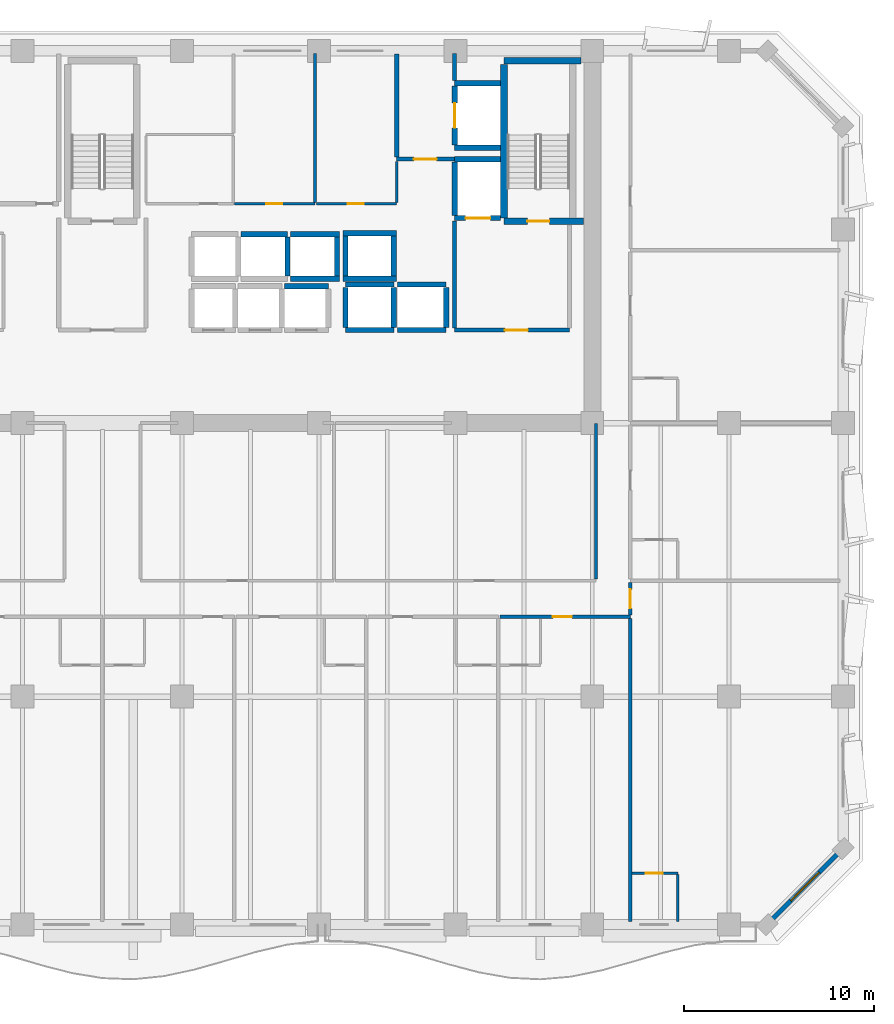
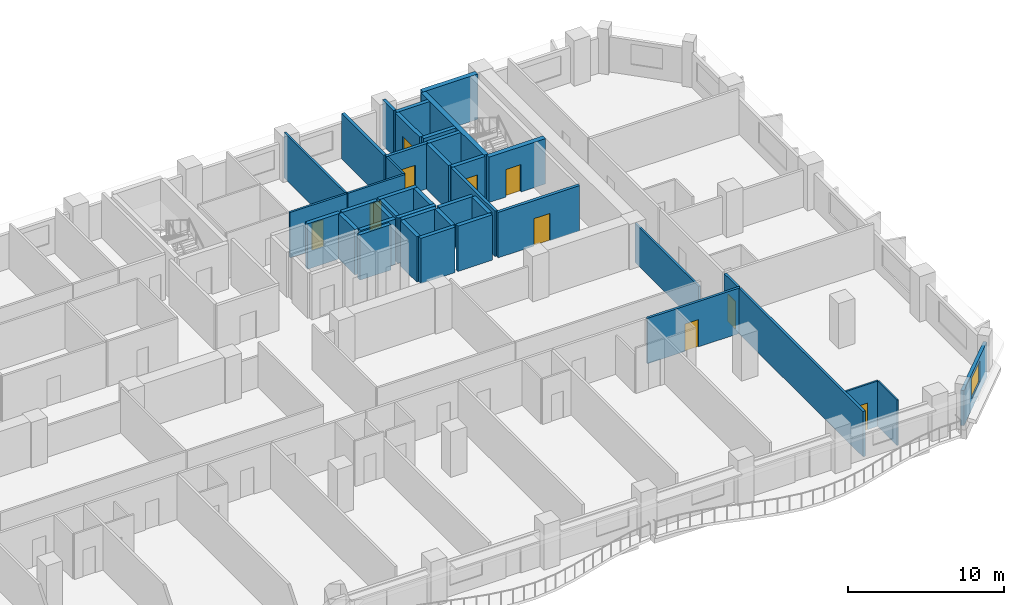
# One storey, part 8 of 14: 42 walls, 10 doors, 1 window, 11 openings.
"""IFC4 building model written with IfcOpenShell, lengths in metres."""

from ifc_helpers import new_model, si_unit, direction, frame, frame_2d, origin, place, context, subcontext, project, spatial, rectangle, extrude, material, layer, layer_set, type_object, element, fill, save


model = new_model("IFC4")

# Units and contexts
model_context = context("Model", 3, precision=1e-05, world=origin(), true_north=direction((0.0, 1.0)))
body_context = subcontext(model_context, "Body", "Model", "MODEL_VIEW")
ifc_project = project(units=[si_unit("LENGTHUNIT", "METRE"), si_unit("AREAUNIT", "SQUARE_METRE"), si_unit("VOLUMEUNIT", "CUBIC_METRE"), si_unit("PLANEANGLEUNIT", "RADIAN"), si_unit("MASSUNIT", "GRAM", prefix="KILO")], contexts=[model_context])

# Site, building, storey
site_placement = place(None, origin())
site = spatial("IfcSite", under=ifc_project, at=site_placement, CompositionType="ELEMENT")
building_placement = place(site_placement, origin())
building = spatial("IfcBuilding", under=site, at=building_placement, Name="Kaelvorn Grand Hotel", CompositionType="ELEMENT")
storey_placement = place(building_placement, frame((0.0, 0.0, 161.949951171875)))
storey = spatial("IfcBuildingStorey", under=building, at=storey_placement, Name="L39", CompositionType="ELEMENT", Elevation=161.949951171875)

# Wall, opening, window
ifc_material_1 = material(Name="Concrete C40/50", Category="concrete")
ifc_layer_1 = layer(ifc_material_1, 0.239990234375)
ifc_layer_set_1 = layer_set([ifc_layer_1], Name="Concrete C40/50")
wall_type_1 = type_object("IfcWallType", Name="WL-EXT-240-C40", PredefinedType="SOLIDWALL", material=ifc_layer_set_1)
wall_1_placement = place(storey_placement, frame((77.0, 3.0, 0.0), z_axis=(0.0, 0.0, 1.0), x_axis=(0.707106781187, 0.707106781187, 0.0)))
wall_1 = element("IfcWall", 1, at=wall_1_placement, inside=storey, type_object=wall_type_1, Name="L39 Exterior Architectural Concrete Wall 02", PredefinedType="SOLIDWALL", context=body_context, shape_type="SweptSolid", body=[
    extrude(rectangle(XDim=5.65673828125, YDim=0.239990234375, at=frame_2d((2.828369140625, 0.0))), origin(), (0.0, 0.0, 1.0), 2.760009765625),
])
opening_1_placement = place(wall_1_placement, frame((1.7783203125, 0.0, 0.85009765625)))
opening_1 = element("IfcOpeningElement", 2, at=opening_1_placement, cuts=wall_1, Name="Opening W7", PredefinedType="OPENING", context=body_context, shape_type="SweptSolid", body=[
    extrude(rectangle(XDim=2.10009765625, YDim=1.60009765625, at=frame_2d((1.050048828125, 0.800048828125))), frame((0.0, 0.1298828125, 0.0), z_axis=(0.0, -1.0, 0.0), x_axis=(1.0, 0.0, 0.0)), (0.0, 0.0, 1.0), 0.260009765625),
])
ifc_material_2 = material(Name="Laminated Low-E Glass", Category="glass")
window_type = type_object("IfcWindowType", Name="WIN-CHM-2100x1600", PartitioningType="SINGLE_PANEL", PredefinedType="WINDOW", material=ifc_material_2)
window_placement = place(opening_1_placement, origin())
window = element("IfcWindow", 3, at=window_placement, inside=storey, type_object=window_type, Name="L39 Chamfered 45-Degree Corner Window SE", OverallHeight=1.60009765625, OverallWidth=2.10009765625, PartitioningType="SINGLE_PANEL", PredefinedType="WINDOW", context=body_context, shape_type="SweptSolid", body=[
    extrude(rectangle(XDim=2.10009765625, YDim=1.60009765625, at=frame_2d((1.050048828125, 0.800048828125))), frame((0.0, 0.030029296875, 0.0), z_axis=(0.0, -1.0, 0.0), x_axis=(1.0, 0.0, 0.0)), (0.0, 0.0, 1.0), 0.06005859375),
])
fill(opening_1, window)

# Wall, opening, door
ifc_material_3 = material(Name="Moisture-Resistant Tile & Stud Board")
ifc_layer_2 = layer(ifc_material_3, 0.125)
ifc_layer_set_2 = layer_set([ifc_layer_2], Name="Moisture-Resistant Tile & Stud Board")
wall_type_2 = type_object("IfcWallType", Name="WL-PART-125-WET", PredefinedType="PARTITIONING", material=ifc_layer_set_2)
wall_2_placement = place(storey_placement, frame((69.89501953125, 5.699951171875, 0.0), z_axis=(0.0, 0.0, 1.0), x_axis=(1.0, 0.0, 0.0)))
wall_2 = element("IfcWall", 4, at=wall_2_placement, inside=storey, type_object=wall_type_2, Name="L39 En-suite Bathroom L39-11 N Partition", PredefinedType="PARTITIONING", context=body_context, shape_type="SweptSolid", body=[
    extrude(rectangle(XDim=2.405029296875, YDim=0.125, at=frame_2d((1.20263671875, 0.0))), origin(), (0.0, 0.0, 1.0), 3.56005859375),
])
opening_2_placement = place(wall_2_placement, frame((0.705078125, 0.0, 0.0)))
opening_2 = element("IfcOpeningElement", 5, at=opening_2_placement, cuts=wall_2, Name="Opening DI4", PredefinedType="OPENING", context=body_context, shape_type="SweptSolid", body=[
    extrude(rectangle(XDim=0.89990234375, YDim=2.10009765625, at=frame_2d((0.449951171875, 1.050048828125))), frame((0.0, 0.072509765625, 0.0), z_axis=(0.0, -1.0, 0.0), x_axis=(1.0, 0.0, 0.0)), (0.0, 0.0, 1.0), 0.14501953125),
])
ifc_material_4 = material(Name="Timber Veneer Leaf", Category="wood")
door_type_1 = type_object("IfcDoorType", Name="DR-INT-BATH-900x2100", OperationType="NOTDEFINED", PredefinedType="DOOR", material=ifc_material_4)
door_1_placement = place(opening_2_placement, origin())
door_1 = element("IfcDoor", 6, at=door_1_placement, inside=storey, type_object=door_type_1, Name="L39 En-suite Bathroom L39-11 Door", OperationType="SINGLE_SWING_RIGHT", OverallHeight=2.10009765625, OverallWidth=0.89990234375, PredefinedType="DOOR", context=body_context, shape_type="SweptSolid", body=[
    extrude(rectangle(XDim=0.89990234375, YDim=2.10009765625, at=frame_2d((0.449951171875, 1.050048828125))), frame((0.0, 0.02490234375, 0.0), z_axis=(0.0, -1.0, 0.0), x_axis=(1.0, 0.0, 0.0)), (0.0, 0.0, 1.0), 0.050048828125),
])
fill(opening_2, door_1)

# Wall
wall_3_placement = place(storey_placement, frame((72.300048828125, 3.14990234375, 0.0), z_axis=(0.0, 0.0, 1.0), x_axis=(0.0, 1.0, 0.0)))
element("IfcWall", 7, at=wall_3_placement, inside=storey, type_object=wall_type_2, Name="L39 En-suite Bathroom L39-11 E Partition", PredefinedType="PARTITIONING", context=body_context, shape_type="SweptSolid", body=[
    extrude(rectangle(XDim=2.482666015625, YDim=0.125, at=frame_2d((1.2412109375, 0.0))), origin(), (0.0, 0.0, 1.0), 3.56005859375),
])

# Wall, opening, door
ifc_material_5 = material(Name="Acoustic Gypsum & Stud Partition")
ifc_layer_3 = layer(ifc_material_5, 0.14990234375)
ifc_layer_set_3 = layer_set([ifc_layer_3], Name="Acoustic Gypsum & Stud Partition")
wall_type_3 = type_object("IfcWallType", Name="WL-PART-150-EI60", PredefinedType="PARTITIONING", material=ifc_layer_set_3)
wall_4_placement = place(storey_placement, frame((48.967529296875, 40.949951171875, 0.0), z_axis=(0.0, 0.0, 1.0), x_axis=(1.0, 0.0, 0.0)))
wall_4 = element("IfcWall", 8, at=wall_4_placement, inside=storey, type_object=wall_type_3, Name="L39 Minibar & Glassware Store S Partition", PredefinedType="PARTITIONING", context=body_context, shape_type="SweptSolid", body=[
    extrude(rectangle(XDim=4.232421875, YDim=0.14990234375, at=frame_2d((2.1162109375, 0.0))), origin(), (0.0, 0.0, 1.0), 3.56005859375),
])
opening_3_placement = place(wall_4_placement, frame((1.657470703125, 0.0, 0.0)))
opening_3 = element("IfcOpeningElement", 9, at=opening_3_placement, cuts=wall_4, Name="Opening DI7", PredefinedType="OPENING", context=body_context, shape_type="SweptSolid", body=[
    extrude(rectangle(XDim=0.85009765625, YDim=2.10009765625, at=frame_2d((0.425048828125, 1.050048828125))), frame((0.0, 0.0849609375, 0.0), z_axis=(0.0, -1.0, 0.0), x_axis=(1.0, 0.0, 0.0)), (0.0, 0.0, 1.0), 0.169921875),
])
ifc_material_6 = material(Name="Powder-Coated Steel Leaf", Category="steel")
door_type_2 = type_object("IfcDoorType", Name="DR-INT-RISER-850x2100", OperationType="NOTDEFINED", PredefinedType="DOOR", material=ifc_material_6)
door_2_placement = place(opening_3_placement, origin())
door_2 = element("IfcDoor", 10, at=door_2_placement, inside=storey, type_object=door_type_2, Name="L39 Minibar & Glassware Store Door", OperationType="SINGLE_SWING_LEFT", OverallHeight=2.10009765625, OverallWidth=0.85009765625, PredefinedType="DOOR", context=body_context, shape_type="SweptSolid", body=[
    extrude(rectangle(XDim=0.85009765625, YDim=2.10009765625, at=frame_2d((0.425048828125, 1.050048828125))), frame((0.0, 0.02490234375, 0.0), z_axis=(0.0, -1.0, 0.0), x_axis=(1.0, 0.0, 0.0)), (0.0, 0.0, 1.0), 0.050048828125),
])
fill(opening_3, door_2)

# Wall
wall_5_placement = place(storey_placement, frame((53.199951171875, 41.030029296875, 0.0), z_axis=(0.0, 0.0, 1.0), x_axis=(0.0, 1.0, 0.0)))
element("IfcWall", 11, at=wall_5_placement, inside=storey, type_object=wall_type_3, Name="L39 Minibar & Glassware Store E Partition", PredefinedType="PARTITIONING", context=body_context, shape_type="SweptSolid", body=[
    extrude(rectangle(XDim=7.820068359375, YDim=0.14990234375, at=frame_2d((3.91015625, 0.0))), origin(), (0.0, 0.0, 1.0), 3.56005859375),
])

# Wall, opening, door
wall_6_placement = place(storey_placement, frame((53.280029296875, 40.949951171875, 0.0), z_axis=(0.0, 0.0, 1.0), x_axis=(1.0, 0.0, 0.0)))
wall_6 = element("IfcWall", 12, at=wall_6_placement, inside=storey, type_object=wall_type_3, Name="L39 Floor IT & Comms Room S Partition", PredefinedType="PARTITIONING", context=body_context, shape_type="SweptSolid", body=[
    extrude(rectangle(XDim=4.219970703125, YDim=0.14990234375, at=frame_2d((2.10986328125, 0.0))), origin(), (0.0, 0.0, 1.0), 3.56005859375),
])
opening_4_placement = place(wall_6_placement, frame((1.64501953125, 0.0, 0.0)))
opening_4 = element("IfcOpeningElement", 13, at=opening_4_placement, cuts=wall_6, Name="Opening DI7", PredefinedType="OPENING", context=body_context, shape_type="SweptSolid", body=[
    extrude(rectangle(XDim=0.85009765625, YDim=2.10009765625, at=frame_2d((0.425048828125, 1.050048828125))), frame((0.0, 0.0849609375, 0.0), z_axis=(0.0, -1.0, 0.0), x_axis=(1.0, 0.0, 0.0)), (0.0, 0.0, 1.0), 0.169921875),
])
door_3_placement = place(opening_4_placement, origin())
door_3 = element("IfcDoor", 14, at=door_3_placement, inside=storey, type_object=door_type_2, Name="L39 Floor IT & Comms Room Door", OperationType="SINGLE_SWING_RIGHT", OverallHeight=2.10009765625, OverallWidth=0.85009765625, PredefinedType="DOOR", context=body_context, shape_type="SweptSolid", body=[
    extrude(rectangle(XDim=0.85009765625, YDim=2.10009765625, at=frame_2d((0.425048828125, 1.050048828125))), frame((0.0, 0.02490234375, 0.0), z_axis=(0.0, -1.0, 0.0), x_axis=(1.0, 0.0, 0.0)), (0.0, 0.0, 1.0), 0.050048828125),
])
fill(opening_4, door_3)

# Walls
wall_7_placement = place(storey_placement, frame((57.5, 41.030029296875, 0.0), z_axis=(0.0, 0.0, 1.0), x_axis=(0.0, 1.0, 0.0)))
element("IfcWall", 15, at=wall_7_placement, inside=storey, type_object=wall_type_3, Name="L39 Floor IT & Comms Room E Partition", PredefinedType="PARTITIONING", context=body_context, shape_type="SweptSolid", body=[
    extrude(rectangle(XDim=2.155029296875, YDim=0.14990234375, at=frame_2d((1.07763671875, 0.0))), origin(), (0.0, 0.0, 1.0), 3.56005859375),
])
wall_8_placement = place(storey_placement, frame((68.0, 21.179931640625, 0.0), z_axis=(0.0, 0.0, 1.0), x_axis=(0.0, 1.0, 0.0)))
element("IfcWall", 16, at=wall_8_placement, inside=storey, type_object=wall_type_3, Name="L39 Executive Meeting Room E Partition", PredefinedType="PARTITIONING", context=body_context, shape_type="SweptSolid", body=[
    extrude(rectangle(XDim=8.2099609375, YDim=0.14990234375, at=frame_2d((4.10498046875, 0.0))), origin(), (0.0, 0.0, 1.0), 3.06005859375),
])

# Wall, opening, door
ifc_layer_4 = layer(ifc_material_5, 0.179931640625)
ifc_layer_set_4 = layer_set([ifc_layer_4], Name="Acoustic Gypsum & Stud Partition")
wall_type_4 = type_object("IfcWallType", Name="WL-PART-180-EI60", PredefinedType="PARTITIONING", material=ifc_layer_set_4)
wall_9_placement = place(storey_placement, frame((62.945068359375, 19.199951171875, 0.0), z_axis=(0.0, 0.0, 1.0), x_axis=(1.0, 0.0, 0.0)))
wall_9 = element("IfcWall", 17, at=wall_9_placement, inside=storey, type_object=wall_type_4, Name="L39 Mid-Rise Signature Suite L39-08 N Partition", PredefinedType="PARTITIONING", context=body_context, shape_type="SweptSolid", body=[
    extrude(rectangle(XDim=6.85498046875, YDim=0.179931640625, at=frame_2d((3.427490234375, 0.0))), origin(), (0.0, 0.0, 1.0), 3.56005859375),
])
opening_5_placement = place(wall_9_placement, frame((2.77490234375, 0.0, 0.0)))
opening_5 = element("IfcOpeningElement", 18, at=opening_5_placement, cuts=wall_9, Name="Opening DI3", PredefinedType="OPENING", context=body_context, shape_type="SweptSolid", body=[
    extrude(rectangle(XDim=1.0, YDim=2.14990234375, at=frame_2d((0.5, 1.074951171875))), frame((0.0, 0.10009765625, 0.0), z_axis=(0.0, -1.0, 0.0), x_axis=(1.0, 0.0, 0.0)), (0.0, 0.0, 1.0), 0.199951171875),
])
ifc_material_7 = material(Name="Timber Veneer Fire Leaf", Category="wood")
door_type_3 = type_object("IfcDoorType", Name="DR-INT-GUEST-1000x2150", OperationType="NOTDEFINED", PredefinedType="DOOR", material=ifc_material_7)
door_4_placement = place(opening_5_placement, origin())
door_4 = element("IfcDoor", 19, at=door_4_placement, inside=storey, type_object=door_type_3, Name="L39 Mid-Rise Signature Suite L39-08 Door", OperationType="SINGLE_SWING_LEFT", OverallHeight=2.14990234375, OverallWidth=1.0, PredefinedType="DOOR", context=body_context, shape_type="SweptSolid", body=[
    extrude(rectangle(XDim=1.0, YDim=2.14990234375, at=frame_2d((0.5, 1.074951171875))), frame((0.0, 0.02490234375, 0.0), z_axis=(0.0, -1.0, 0.0), x_axis=(1.0, 0.0, 0.0)), (0.0, 0.0, 1.0), 0.050048828125),
])
fill(opening_5, door_4)

# Wall
wall_10_placement = place(storey_placement, frame((69.800048828125, 3.14990234375, 0.0), z_axis=(0.0, 0.0, 1.0), x_axis=(0.0, 1.0, 0.0)))
element("IfcWall", 20, at=wall_10_placement, inside=storey, type_object=wall_type_4, Name="L39 Mid-Rise Signature Suite L39-08 E Partition", PredefinedType="PARTITIONING", context=body_context, shape_type="SweptSolid", body=[
    extrude(rectangle(XDim=15.955078125, YDim=0.179931640625, at=frame_2d((7.9775390625, 0.0))), origin(), (0.0, 0.0, 1.0), 3.56005859375),
])

# Wall, opening, door
wall_11_placement = place(storey_placement, frame((69.800048828125, 19.294921875, 0.0), z_axis=(0.0, 0.0, 1.0), x_axis=(0.0, 1.0, 0.0)))
wall_11 = element("IfcWall", 21, at=wall_11_placement, inside=storey, type_object=wall_type_4, Name="L39 South-East Chamfer Suite L39-11 W Partition", PredefinedType="PARTITIONING", context=body_context, shape_type="SweptSolid", body=[
    extrude(rectangle(XDim=1.7099609375, YDim=0.179931640625, at=frame_2d((0.85498046875, 0.0))), origin(), (0.0, 0.0, 1.0), 3.56005859375),
])
opening_6_placement = place(wall_11_placement, frame((0.35498046875, 0.0, 0.0)))
opening_6 = element("IfcOpeningElement", 22, at=opening_6_placement, cuts=wall_11, Name="Opening DI3", PredefinedType="OPENING", context=body_context, shape_type="SweptSolid", body=[
    extrude(rectangle(XDim=1.0, YDim=2.14990234375, at=frame_2d((0.5, 1.074951171875))), frame((0.0, 0.10009765625, 0.0), z_axis=(0.0, -1.0, 0.0), x_axis=(1.0, 0.0, 0.0)), (0.0, 0.0, 1.0), 0.199951171875),
])
door_5_placement = place(opening_6_placement, origin())
door_5 = element("IfcDoor", 23, at=door_5_placement, inside=storey, type_object=door_type_3, Name="L39 South-East Chamfer Suite L39-11 Door", OperationType="SINGLE_SWING_LEFT", OverallHeight=2.14990234375, OverallWidth=1.0, PredefinedType="DOOR", context=body_context, shape_type="SweptSolid", body=[
    extrude(rectangle(XDim=1.0, YDim=2.14990234375, at=frame_2d((0.5, 1.074951171875))), frame((0.0, 0.02490234375, 0.0), z_axis=(0.0, -1.0, 0.0), x_axis=(1.0, 0.0, 0.0)), (0.0, 0.0, 1.0), 0.050048828125),
])
fill(opening_6, door_5)

ifc_layer_5 = layer(ifc_material_1, 0.219970703125)
ifc_layer_set_5 = layer_set([ifc_layer_5], Name="Concrete C40/50")
wall_type_5 = type_object("IfcWallType", Name="WL-PART-220-EI120", PredefinedType="PARTITIONING", material=ifc_layer_set_5)
wall_12_placement = place(storey_placement, frame((60.550048828125, 34.300048828125, 0.0), z_axis=(0.0, 0.0, 1.0), x_axis=(1.0, 0.0, 0.0)))
wall_12 = element("IfcWall", 24, at=wall_12_placement, inside=storey, type_object=wall_type_5, Name="L39 Firefighting Lift Lobby 2 S Partition", PredefinedType="PARTITIONING", context=body_context, shape_type="SweptSolid", body=[
    extrude(rectangle(XDim=6.050048828125, YDim=0.219970703125, at=frame_2d((3.02490234375, 0.0))), origin(), (0.0, 0.0, 1.0), 3.56005859375),
])
opening_7_placement = place(wall_12_placement, frame((2.64990234375, 0.0, 0.0)))
opening_7 = element("IfcOpeningElement", 25, at=opening_7_placement, cuts=wall_12, Name="Opening DI2", PredefinedType="OPENING", context=body_context, shape_type="SweptSolid", body=[
    extrude(rectangle(XDim=1.199951171875, YDim=2.14990234375, at=frame_2d((0.60009765625, 1.074951171875))), frame((0.0, 0.1201171875, 0.0), z_axis=(0.0, -1.0, 0.0), x_axis=(1.0, 0.0, 0.0)), (0.0, 0.0, 1.0), 0.239990234375),
])
door_type_4 = type_object("IfcDoorType", Name="DR-INT-FFLOB-1200x2150", OperationType="NOTDEFINED", PredefinedType="DOOR", material=ifc_material_7)
door_6_placement = place(opening_7_placement, origin())
door_6 = element("IfcDoor", 26, at=door_6_placement, inside=storey, type_object=door_type_4, Name="L39 Firefighting Lift Lobby 2 Door", OperationType="SINGLE_SWING_RIGHT", OverallHeight=2.14990234375, OverallWidth=1.199951171875, PredefinedType="DOOR", context=body_context, shape_type="SweptSolid", body=[
    extrude(rectangle(XDim=1.199951171875, YDim=2.14990234375, at=frame_2d((0.60009765625, 1.074951171875))), frame((0.0, 0.02490234375, 0.0), z_axis=(0.0, -1.0, 0.0), x_axis=(1.0, 0.0, 0.0)), (0.0, 0.0, 1.0), 0.050048828125),
])
fill(opening_7, door_6)

# Wall
wall_13_placement = place(storey_placement, frame((60.550048828125, 34.4150390625, 0.0), z_axis=(0.0, 0.0, 1.0), x_axis=(0.0, 1.0, 0.0)))
element("IfcWall", 27, at=wall_13_placement, inside=storey, type_object=wall_type_5, Name="L39 Firefighting Lift Lobby 2 W Partition", PredefinedType="PARTITIONING", context=body_context, shape_type="SweptSolid", body=[
    extrude(rectangle(XDim=5.639892578125, YDim=0.219970703125, at=frame_2d((2.81982421875, 0.0))), origin(), (0.0, 0.0, 1.0), 3.56005859375),
])

# Wall, opening, door
wall_14_placement = place(storey_placement, frame((57.5, 43.300048828125, 0.0), z_axis=(0.0, 0.0, 1.0), x_axis=(1.0, 0.0, 0.0)))
wall_14 = element("IfcWall", 28, at=wall_14_placement, inside=storey, type_object=wall_type_5, Name="L39 Service Lift Lobby S Partition", PredefinedType="PARTITIONING", context=body_context, shape_type="SweptSolid", body=[
    extrude(rectangle(XDim=3.0400390625, YDim=0.219970703125, at=frame_2d((1.52001953125, 0.0))), origin(), (0.0, 0.0, 1.0), 3.56005859375),
])
opening_8_placement = place(wall_14_placement, frame((0.89990234375, 0.0, 0.0)))
opening_8 = element("IfcOpeningElement", 29, at=opening_8_placement, cuts=wall_14, Name="Opening DI2", PredefinedType="OPENING", context=body_context, shape_type="SweptSolid", body=[
    extrude(rectangle(XDim=1.199951171875, YDim=2.14990234375, at=frame_2d((0.60009765625, 1.074951171875))), frame((0.0, 0.1201171875, 0.0), z_axis=(0.0, -1.0, 0.0), x_axis=(1.0, 0.0, 0.0)), (0.0, 0.0, 1.0), 0.239990234375),
])
door_7_placement = place(opening_8_placement, origin())
door_7 = element("IfcDoor", 30, at=door_7_placement, inside=storey, type_object=door_type_4, Name="L39 Service Lift Lobby Door", OperationType="SINGLE_SWING_RIGHT", OverallHeight=2.14990234375, OverallWidth=1.199951171875, PredefinedType="DOOR", context=body_context, shape_type="SweptSolid", body=[
    extrude(rectangle(XDim=1.199951171875, YDim=2.14990234375, at=frame_2d((0.60009765625, 1.074951171875))), frame((0.0, 0.02490234375, 0.0), z_axis=(0.0, -1.0, 0.0), x_axis=(1.0, 0.0, 0.0)), (0.0, 0.0, 1.0), 0.050048828125),
])
fill(opening_8, door_7)

# Walls
wall_15_placement = place(storey_placement, frame((57.5, 43.4150390625, 0.0), z_axis=(0.0, 0.0, 1.0), x_axis=(0.0, 1.0, 0.0)))
element("IfcWall", 31, at=wall_15_placement, inside=storey, type_object=wall_type_5, Name="L39 Service Lift Lobby W Partition", PredefinedType="PARTITIONING", context=body_context, shape_type="SweptSolid", body=[
    extrude(rectangle(XDim=5.43505859375, YDim=0.219970703125, at=frame_2d((2.717529296875, 0.0))), origin(), (0.0, 0.0, 1.0), 3.56005859375),
])
wall_16_placement = place(storey_placement, frame((60.550048828125, 47.445068359375, 0.0), z_axis=(0.0, 0.0, 1.0), x_axis=(0.0, 1.0, 0.0)))
element("IfcWall", 32, at=wall_16_placement, inside=storey, type_object=wall_type_5, Name="L39 Service Lift Lobby E Partition", PredefinedType="PARTITIONING", context=body_context, shape_type="SweptSolid", body=[
    extrude(rectangle(XDim=1.405029296875, YDim=0.219970703125, at=frame_2d((0.70263671875, 0.0))), origin(), (0.0, 0.0, 1.0), 3.56005859375),
])
ifc_material_8 = material(Name="Concrete C50/60", Category="concrete")
ifc_layer_6 = layer(ifc_material_8, 0.280029296875)
ifc_layer_set_6 = layer_set([ifc_layer_6], Name="Concrete C50/60")
wall_type_6 = type_object("IfcWallType", Name="WL-SHAFT-280-C50", PredefinedType="SHEAR", material=ifc_layer_set_6)
wall_17_placement = place(storey_placement, frame((51.60009765625, 36.60009765625, 0.0), z_axis=(0.0, 0.0, 1.0), x_axis=(1.0, 0.0, 0.0)))
element("IfcWall", 33, at=wall_17_placement, inside=storey, type_object=wall_type_6, Name="L39 Lift PL-M3 Shaft North Wall", PredefinedType="SHEAR", context=body_context, shape_type="SweptSolid", body=[
    extrude(rectangle(XDim=2.2998046875, YDim=0.280029296875, at=frame_2d((1.14990234375, 0.0))), origin(), (0.0, 0.0, 1.0), 3.56005859375),
])
wall_18_placement = place(storey_placement, frame((49.300048828125, 39.35009765625, 0.0), z_axis=(0.0, 0.0, 1.0), x_axis=(1.0, 0.0, 0.0)))
element("IfcWall", 34, at=wall_18_placement, inside=storey, type_object=wall_type_6, Name="L39 Lift SL-2 Shaft North Wall", PredefinedType="SHEAR", context=body_context, shape_type="SweptSolid", body=[
    extrude(rectangle(XDim=2.449951171875, YDim=0.280029296875, at=frame_2d((1.22509765625, 0.0))), origin(), (0.0, 0.0, 1.0), 3.56005859375),
])
wall_19_placement = place(storey_placement, frame((51.75, 37.14501953125, 0.0), z_axis=(0.0, 0.0, 1.0), x_axis=(0.0, 1.0, 0.0)))
element("IfcWall", 35, at=wall_19_placement, inside=storey, type_object=wall_type_6, Name="L39 Lift SL-2 Shaft East Wall", PredefinedType="SHEAR", context=body_context, shape_type="SweptSolid", body=[
    extrude(rectangle(XDim=2.06005859375, YDim=0.280029296875, at=frame_2d((1.030029296875, 0.0))), origin(), (0.0, 0.0, 1.0), 3.56005859375),
])
for number, where, z_axis, x_axis, name in (
    (36, (51.89990234375, 37.0, 0.0), (0.0, 0.0, 1.0), (1.0, 0.0, 0.0), "L39 Lift SL-3 Shaft South Wall"),
    (37, (51.89990234375, 39.35009765625, 0.0), (0.0, 0.0, 1.0), (1.0, 0.0, 0.0), "L39 Lift SL-3 Shaft North Wall"),
):
    element("IfcWall", number, at=place(storey_placement, frame(where, z_axis=z_axis, x_axis=x_axis)), inside=storey, type_object=wall_type_6, Name=name, PredefinedType="SHEAR", context=body_context, shape_type="SweptSolid", body=[
        extrude(rectangle(XDim=2.590087890625, YDim=0.280029296875, at=frame_2d((1.294921875, 0.0))), origin(), (0.0, 0.0, 1.0), 3.56005859375),
    ])
wall_20_placement = place(storey_placement, frame((54.35009765625, 37.14501953125, 0.0), z_axis=(0.0, 0.0, 1.0), x_axis=(0.0, 1.0, 0.0)))
element("IfcWall", 38, at=wall_20_placement, inside=storey, type_object=wall_type_6, Name="L39 Lift SL-3 Shaft East Wall", PredefinedType="SHEAR", context=body_context, shape_type="SweptSolid", body=[
    extrude(rectangle(XDim=2.06005859375, YDim=0.280029296875, at=frame_2d((1.030029296875, 0.0))), origin(), (0.0, 0.0, 1.0), 3.56005859375),
])
for number, where, z_axis, x_axis, name in (
    (39, (54.800048828125, 34.300048828125, 0.0), (0.0, 0.0, 1.0), (1.0, 0.0, 0.0), "L39 Lift OL-1 Shaft South Wall"),
    (40, (54.800048828125, 36.699951171875, 0.0), (0.0, 0.0, 1.0), (1.0, 0.0, 0.0), "L39 Lift OL-1 Shaft North Wall"),
):
    element("IfcWall", number, at=place(storey_placement, frame(where, z_axis=z_axis, x_axis=x_axis)), inside=storey, type_object=wall_type_6, Name=name, PredefinedType="SHEAR", context=body_context, shape_type="SweptSolid", body=[
        extrude(rectangle(XDim=2.550048828125, YDim=0.280029296875, at=frame_2d((1.27490234375, 0.0))), origin(), (0.0, 0.0, 1.0), 3.56005859375),
    ])
for number, where, z_axis, x_axis, name in (
    (41, (54.800048828125, 34.445068359375, 0.0), (0.0, 0.0, 1.0), (0.0, 1.0, 0.0), "L39 Lift OL-1 Shaft West Wall"),
    (42, (57.35009765625, 34.445068359375, 0.0), (0.0, 0.0, 1.0), (0.0, 1.0, 0.0), "L39 Lift OL-1 Shaft East Wall"),
):
    element("IfcWall", number, at=place(storey_placement, frame(where, z_axis=z_axis, x_axis=x_axis)), inside=storey, type_object=wall_type_6, Name=name, PredefinedType="SHEAR", context=body_context, shape_type="SweptSolid", body=[
        extrude(rectangle(XDim=2.10986328125, YDim=0.280029296875, at=frame_2d((1.054931640625, 0.0))), origin(), (0.0, 0.0, 1.0), 3.56005859375),
    ])
for number, where, z_axis, x_axis, name in (
    (43, (57.550048828125, 34.300048828125, 0.0), (0.0, 0.0, 1.0), (1.0, 0.0, 0.0), "L39 Lift OL-2 Shaft South Wall"),
    (44, (57.550048828125, 36.699951171875, 0.0), (0.0, 0.0, 1.0), (1.0, 0.0, 0.0), "L39 Lift OL-2 Shaft North Wall"),
):
    element("IfcWall", number, at=place(storey_placement, frame(where, z_axis=z_axis, x_axis=x_axis)), inside=storey, type_object=wall_type_6, Name=name, PredefinedType="SHEAR", context=body_context, shape_type="SweptSolid", body=[
        extrude(rectangle(XDim=2.550048828125, YDim=0.280029296875, at=frame_2d((1.27490234375, 0.0))), origin(), (0.0, 0.0, 1.0), 3.56005859375),
    ])
wall_21_placement = place(storey_placement, frame((60.10009765625, 34.445068359375, 0.0), z_axis=(0.0, 0.0, 1.0), x_axis=(0.0, 1.0, 0.0)))
element("IfcWall", 45, at=wall_21_placement, inside=storey, type_object=wall_type_6, Name="L39 Lift OL-2 Shaft East Wall", PredefinedType="SHEAR", context=body_context, shape_type="SweptSolid", body=[
    extrude(rectangle(XDim=2.10986328125, YDim=0.280029296875, at=frame_2d((1.054931640625, 0.0))), origin(), (0.0, 0.0, 1.0), 3.56005859375),
])
for number, where, z_axis, x_axis, name in (
    (46, (54.659912109375, 37.0, 0.0), (0.0, 0.0, 1.0), (1.0, 0.0, 0.0), "L39 Lift OL-3 Shaft South Wall"),
    (47, (54.659912109375, 39.39990234375, 0.0), (0.0, 0.0, 1.0), (1.0, 0.0, 0.0), "L39 Lift OL-3 Shaft North Wall"),
):
    element("IfcWall", number, at=place(storey_placement, frame(where, z_axis=z_axis, x_axis=x_axis)), inside=storey, type_object=wall_type_6, Name=name, PredefinedType="SHEAR", context=body_context, shape_type="SweptSolid", body=[
        extrude(rectangle(XDim=2.830078125, YDim=0.280029296875, at=frame_2d((1.4150390625, 0.0))), origin(), (0.0, 0.0, 1.0), 3.56005859375),
    ])
for number, where, z_axis, x_axis, name in (
    (48, (54.800048828125, 37.14501953125, 0.0), (0.0, 0.0, 1.0), (0.0, 1.0, 0.0), "L39 Lift OL-3 Shaft West Wall"),
    (49, (57.35009765625, 37.14501953125, 0.0), (0.0, 0.0, 1.0), (0.0, 1.0, 0.0), "L39 Lift OL-3 Shaft East Wall"),
):
    element("IfcWall", number, at=place(storey_placement, frame(where, z_axis=z_axis, x_axis=x_axis)), inside=storey, type_object=wall_type_6, Name=name, PredefinedType="SHEAR", context=body_context, shape_type="SweptSolid", body=[
        extrude(rectangle(XDim=2.10986328125, YDim=0.280029296875, at=frame_2d((1.054931640625, 0.0))), origin(), (0.0, 0.0, 1.0), 3.56005859375),
    ])

# Wall, opening, door
wall_22_placement = place(storey_placement, frame((60.550048828125, 40.199951171875, 0.0), z_axis=(0.0, 0.0, 1.0), x_axis=(1.0, 0.0, 0.0)))
wall_22 = element("IfcWall", 50, at=wall_22_placement, inside=storey, type_object=wall_type_6, Name="L39 Lift FFL2 Shaft South Wall", PredefinedType="SHEAR", context=body_context, shape_type="SweptSolid", body=[
    extrude(rectangle(XDim=2.4150390625, YDim=0.280029296875, at=frame_2d((1.20751953125, 0.0))), origin(), (0.0, 0.0, 1.0), 3.56005859375),
])
opening_9_placement = place(wall_22_placement, frame((0.574951171875, 0.0, 0.0)))
opening_9 = element("IfcOpeningElement", 51, at=opening_9_placement, cuts=wall_22, Name="Opening LD-FFL2", PredefinedType="OPENING", context=body_context, shape_type="SweptSolid", body=[
    extrude(rectangle(XDim=1.300048828125, YDim=2.300048828125, at=frame_2d((0.64990234375, 1.14990234375))), frame((0.0, 0.14990234375, 0.0), z_axis=(0.0, -1.0, 0.0), x_axis=(1.0, 0.0, 0.0)), (0.0, 0.0, 1.0), 0.300048828125),
])
ifc_material_9 = material(Name="Stainless Steel", Category="steel")
door_type_5 = type_object("IfcDoorType", Name="DR-LIFT-SERV-1300x2300", OperationType="DOUBLE_DOOR_SLIDING", PredefinedType="DOOR", material=ifc_material_9)
door_8_placement = place(opening_9_placement, origin())
door_8 = element("IfcDoor", 52, at=door_8_placement, inside=storey, type_object=door_type_5, Name="L39 Lift FFL2 Sliding Landing Door LD-FFL2", OperationType="DOUBLE_DOOR_SLIDING", OverallHeight=2.300048828125, OverallWidth=1.300048828125, PredefinedType="DOOR", context=body_context, shape_type="SweptSolid", body=[
    extrude(rectangle(XDim=1.300048828125, YDim=2.300048828125, at=frame_2d((0.64990234375, 1.14990234375))), frame((0.0, 0.02490234375, 0.0), z_axis=(0.0, -1.0, 0.0), x_axis=(1.0, 0.0, 0.0)), (0.0, 0.0, 1.0), 0.050048828125),
])
fill(opening_9, door_8)

# Walls
wall_23_placement = place(storey_placement, frame((60.550048828125, 43.300048828125, 0.0), z_axis=(0.0, 0.0, 1.0), x_axis=(1.0, 0.0, 0.0)))
element("IfcWall", 53, at=wall_23_placement, inside=storey, type_object=wall_type_6, Name="L39 Lift FFL2 Shaft North Wall", PredefinedType="SHEAR", context=body_context, shape_type="SweptSolid", body=[
    extrude(rectangle(XDim=2.4150390625, YDim=0.280029296875, at=frame_2d((1.20751953125, 0.0))), origin(), (0.0, 0.0, 1.0), 3.56005859375),
])
wall_24_placement = place(storey_placement, frame((60.550048828125, 40.344970703125, 0.0), z_axis=(0.0, 0.0, 1.0), x_axis=(0.0, 1.0, 0.0)))
element("IfcWall", 54, at=wall_24_placement, inside=storey, type_object=wall_type_6, Name="L39 Lift FFL2 Shaft West Wall", PredefinedType="SHEAR", context=body_context, shape_type="SweptSolid", body=[
    extrude(rectangle(XDim=2.81005859375, YDim=0.280029296875, at=frame_2d((1.405029296875, 0.0))), origin(), (0.0, 0.0, 1.0), 3.56005859375),
])
for number, where, z_axis, x_axis, name in (
    (55, (60.550048828125, 43.89990234375, 0.0), (0.0, 0.0, 1.0), (1.0, 0.0, 0.0), "L39 Lift SV1 Shaft South Wall"),
    (56, (60.550048828125, 47.300048828125, 0.0), (0.0, 0.0, 1.0), (1.0, 0.0, 0.0), "L39 Lift SV1 Shaft North Wall"),
):
    element("IfcWall", number, at=place(storey_placement, frame(where, z_axis=z_axis, x_axis=x_axis)), inside=storey, type_object=wall_type_6, Name=name, PredefinedType="SHEAR", context=body_context, shape_type="SweptSolid", body=[
        extrude(rectangle(XDim=2.4150390625, YDim=0.280029296875, at=frame_2d((1.20751953125, 0.0))), origin(), (0.0, 0.0, 1.0), 3.56005859375),
    ])

# Wall, opening, door
wall_25_placement = place(storey_placement, frame((60.550048828125, 44.044921875, 0.0), z_axis=(0.0, 0.0, 1.0), x_axis=(0.0, 1.0, 0.0)))
wall_25 = element("IfcWall", 57, at=wall_25_placement, inside=storey, type_object=wall_type_6, Name="L39 Lift SV1 Shaft West Wall", PredefinedType="SHEAR", context=body_context, shape_type="SweptSolid", body=[
    extrude(rectangle(XDim=3.110107421875, YDim=0.280029296875, at=frame_2d((1.55517578125, 0.0))), origin(), (0.0, 0.0, 1.0), 3.56005859375),
])
opening_10_placement = place(wall_25_placement, frame((0.905029296875, 0.0, 0.0)))
opening_10 = element("IfcOpeningElement", 58, at=opening_10_placement, cuts=wall_25, Name="Opening LD-SV1", PredefinedType="OPENING", context=body_context, shape_type="SweptSolid", body=[
    extrude(rectangle(XDim=1.300048828125, YDim=2.300048828125, at=frame_2d((0.64990234375, 1.14990234375))), frame((0.0, 0.14990234375, 0.0), z_axis=(0.0, -1.0, 0.0), x_axis=(1.0, 0.0, 0.0)), (0.0, 0.0, 1.0), 0.300048828125),
])
door_9_placement = place(opening_10_placement, origin())
door_9 = element("IfcDoor", 59, at=door_9_placement, inside=storey, type_object=door_type_5, Name="L39 Lift SV1 Sliding Landing Door LD-SV1", OperationType="DOUBLE_DOOR_SLIDING", OverallHeight=2.300048828125, OverallWidth=1.300048828125, PredefinedType="DOOR", context=body_context, shape_type="SweptSolid", body=[
    extrude(rectangle(XDim=1.300048828125, YDim=2.300048828125, at=frame_2d((0.64990234375, 1.14990234375))), frame((0.0, 0.02490234375, 0.0), z_axis=(0.0, -1.0, 0.0), x_axis=(1.0, 0.0, 0.0)), (0.0, 0.0, 1.0), 0.050048828125),
])
fill(opening_10, door_9)

ifc_material_10 = material(Name="Concrete C60/75", Category="concrete")
ifc_layer_7 = layer(ifc_material_10, 0.35009765625)
ifc_layer_set_7 = layer_set([ifc_layer_7], Name="Concrete C60/75")
wall_type_7 = type_object("IfcWallType", Name="WL-SHAFT-350-C60", PredefinedType="SHEAR", material=ifc_layer_set_7)
wall_26_placement = place(storey_placement, frame((63.14501953125, 40.02490234375, 0.0), z_axis=(0.0, 0.0, 1.0), x_axis=(1.0, 0.0, 0.0)))
wall_26 = element("IfcWall", 60, at=wall_26_placement, inside=storey, type_object=wall_type_7, Name="L39 ST3 Stair Shaft South Wall", PredefinedType="SHEAR", context=body_context, shape_type="SweptSolid", body=[
    extrude(rectangle(XDim=4.199951171875, YDim=0.35009765625, at=frame_2d((2.10009765625, 0.0))), origin(), (0.0, 0.0, 1.0), 3.56005859375),
])
opening_11_placement = place(wall_26_placement, frame((1.239990234375, 0.0, 0.0)))
opening_11 = element("IfcOpeningElement", 61, at=opening_11_placement, cuts=wall_26, Name="Opening DI1", PredefinedType="OPENING", context=body_context, shape_type="SweptSolid", body=[
    extrude(rectangle(XDim=1.14990234375, YDim=2.14990234375, at=frame_2d((0.574951171875, 1.074951171875))), frame((0.0, 0.18505859375, 0.0), z_axis=(0.0, -1.0, 0.0), x_axis=(1.0, 0.0, 0.0)), (0.0, 0.0, 1.0), 0.3701171875),
])
door_type_6 = type_object("IfcDoorType", Name="DR-INT-STAIR-1150x2150", OperationType="NOTDEFINED", PredefinedType="DOOR", material=ifc_material_7)
door_10_placement = place(opening_11_placement, origin())
door_10 = element("IfcDoor", 62, at=door_10_placement, inside=storey, type_object=door_type_6, Name="L39 ST3 Exit Stair Fire Door", OperationType="SINGLE_SWING_RIGHT", OverallHeight=2.14990234375, OverallWidth=1.14990234375, PredefinedType="DOOR", context=body_context, shape_type="SweptSolid", body=[
    extrude(rectangle(XDim=1.14990234375, YDim=2.14990234375, at=frame_2d((0.574951171875, 1.074951171875))), frame((0.0, 0.02490234375, 0.0), z_axis=(0.0, -1.0, 0.0), x_axis=(1.0, 0.0, 0.0)), (0.0, 0.0, 1.0), 0.050048828125),
])
fill(opening_11, door_10)

# Walls
wall_27_placement = place(storey_placement, frame((63.14501953125, 48.47509765625, 0.0), z_axis=(0.0, 0.0, 1.0), x_axis=(1.0, 0.0, 0.0)))
element("IfcWall", 63, at=wall_27_placement, inside=storey, type_object=wall_type_7, Name="L39 ST3 Stair Shaft North Wall", PredefinedType="SHEAR", context=body_context, shape_type="SweptSolid", body=[
    extrude(rectangle(XDim=4.050048828125, YDim=0.35009765625, at=frame_2d((2.02490234375, 0.0))), origin(), (0.0, 0.0, 1.0), 3.56005859375),
])
wall_28_placement = place(storey_placement, frame((63.14501953125, 40.205078125, 0.0), z_axis=(0.0, 0.0, 1.0), x_axis=(0.0, 1.0, 0.0)))
element("IfcWall", 64, at=wall_28_placement, inside=storey, type_object=wall_type_7, Name="L39 ST3 Stair Shaft West Wall", PredefinedType="SHEAR", context=body_context, shape_type="SweptSolid", body=[
    extrude(rectangle(XDim=8.08984375, YDim=0.35009765625, at=frame_2d((4.044921875, 0.0))), origin(), (0.0, 0.0, 1.0), 3.56005859375),
])

save(model, "model.ifc")
